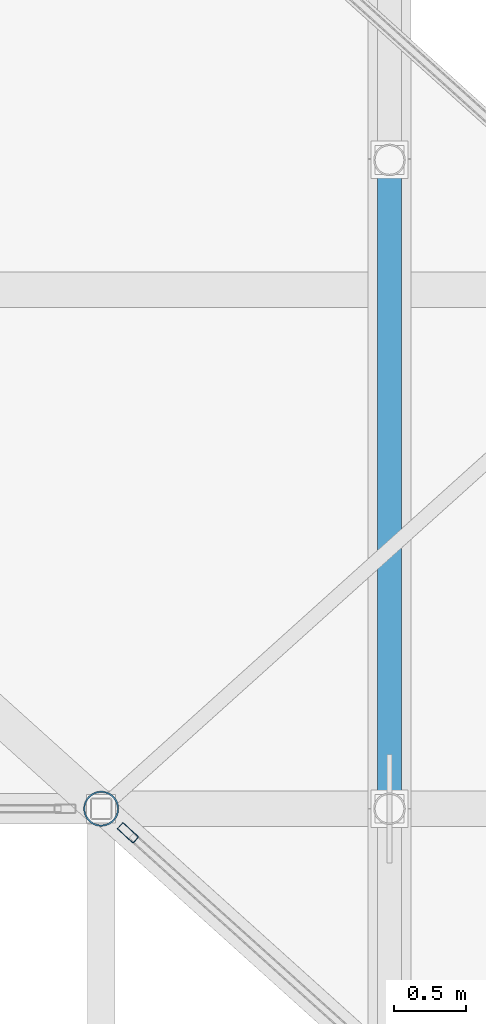
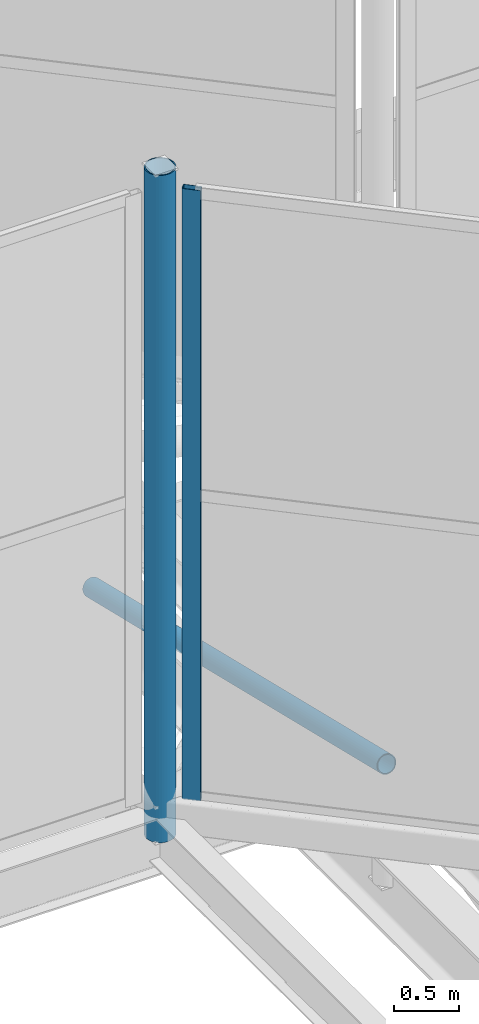
# One storey, part 78 of 239: 3 members, 1 element without a shape of its own.
"""IFC4 building model written with IfcOpenShell, lengths in metres."""

from ifc_helpers import new_model, si_unit, direction, frame, origin, origin_2d, place, context, subcontext, project, spatial, hollow_rectangle, hollow_circle, extrude, material, layer, layer_set, material_profile, profile_set, type_object, element, aggregate, save


model = new_model("IFC4")

# Units and contexts
model_context = context("Model", 3, precision=1e-05, world=origin(), true_north=direction((0.0, 1.0)))
body_context = subcontext(model_context, "Body", "Model", "MODEL_VIEW")
ifc_project = project(units=[si_unit("LENGTHUNIT", "METRE"), si_unit("AREAUNIT", "SQUARE_METRE"), si_unit("VOLUMEUNIT", "CUBIC_METRE"), si_unit("PLANEANGLEUNIT", "RADIAN"), si_unit("MASSUNIT", "GRAM", prefix="KILO")], contexts=[model_context])

# Site, building, storey
site_placement = place(None, origin())
site = spatial("IfcSite", under=ifc_project, at=site_placement, CompositionType="ELEMENT")
building_placement = place(site_placement, origin())
building = spatial("IfcBuilding", under=site, at=building_placement, Name="Dunvalen Ferry Terminal", CompositionType="ELEMENT")
storey_placement = place(building_placement, frame((0.0, 0.0, 9.840087890625)))
storey = spatial("IfcBuildingStorey", under=building, at=storey_placement, Name="L02", CompositionType="ELEMENT", Elevation=9.840087890625)

# Curtain wall, member
ifc_material_1 = material(Name="Anodised marine aluminium and solar-control glazing", Category="aluminium")
ifc_layer = layer(ifc_material_1, 0.179931640625, Name="Anodised marine aluminium and solar-control glazing")
ifc_layer_set = layer_set([ifc_layer], Name="Anodised marine aluminium and solar-control glazing")
curtain_wall_type = type_object("IfcCurtainWallType", Name="ENV-CW-SYS-06", PredefinedType="NOTDEFINED", material=ifc_layer_set)
curtain_wall_placement = place(storey_placement, origin())
curtain_wall = element("IfcCurtainWall", 1, at=curtain_wall_placement, inside=storey, type_object=curtain_wall_type, Name="L02 Curtain Wall CW-HEX-14-SK-4", PredefinedType="NOTDEFINED")
ifc_material_2 = material(Name="Anodised marine aluminium EN AW-6063 T6", Category="aluminium")
ifc_material_profile_1 = material_profile(ifc_material_2, hollow_rectangle(XDim=0.06005859375, YDim=0.14990234375, WallThickness=0.00341796875, InnerFilletRadius=0.00341796875, OuterFilletRadius=0.007080078125, at=origin_2d()), Name="Anodised marine aluminium EN AW-6063 T6")
ifc_profile_set_1 = profile_set([ifc_material_profile_1], Name="Anodised marine aluminium EN AW-6063 T6")
member_type_1 = type_object("IfcMemberType", Name="ENV-CW-MUL-3", PredefinedType="MULLION", material=ifc_profile_set_1)
member_1_placement = place(storey_placement, frame((34.185791015625, 68.232666015625, 1.139892578125), z_axis=(0.0, 0.0, 1.0), x_axis=(-0.668953550894, -0.74330420875, 0.0)))
member_1 = element("IfcMember", 2, at=member_1_placement, type_object=member_type_1, Name="CW-06 mullion 2", PredefinedType="MULLION", context=body_context, shape_type="SweptSolid", body=[
    extrude(hollow_rectangle(XDim=0.06005859375, YDim=0.14990234375, WallThickness=0.00341796875, InnerFilletRadius=0.00341796875, OuterFilletRadius=0.007080078125, at=origin_2d()), origin(), (0.0, 0.0, 1.0), 5.699951171875),
])
aggregate(curtain_wall, [member_1])

# Members
ifc_material_3 = material(Name="Steel S355", Category="steel")
ifc_material_profile_2 = material_profile(ifc_material_3, hollow_circle(Radius=0.084228515625, WallThickness=0.008056640625, at=origin_2d()), Name="Steel S355")
ifc_profile_set_2 = profile_set([ifc_material_profile_2], Name="Steel S355")
member_type_2 = type_object("IfcMemberType", Name="STR-MB-CHS168", PredefinedType="BRACE", material=ifc_profile_set_2)
member_2_placement = place(storey_placement, frame((36.0, 68.39990234375, 0.719970703125), z_axis=(0.0, 0.972383470914, -0.233388914677), x_axis=(-1.0, 0.0, 0.0)))
element("IfcMember", 3, at=member_2_placement, inside=storey, type_object=member_type_2, Name="Departure Hall Arch Web Diagonal 03.5", PredefinedType="BRACE", context=body_context, shape_type="SweptSolid", body=[
    extrude(hollow_circle(Radius=0.084228515625, WallThickness=0.008056640625, at=origin_2d()), origin(), (0.0, 0.0, 1.0), 4.627685546875),
])
ifc_material_profile_3 = material_profile(ifc_material_3, hollow_circle(Radius=0.122314453125, WallThickness=0.010009765625, at=origin_2d()), Name="Steel S355")
ifc_profile_set_3 = profile_set([ifc_material_profile_3], Name="Steel S355")
member_type_3 = type_object("IfcMemberType", Name="STR-MB-CHS244", PredefinedType="STRUT", material=ifc_profile_set_3)
member_3_placement = place(storey_placement, frame((34.0, 68.39990234375, 0.77001953125), z_axis=(0.0, 0.0, 1.0), x_axis=(1.0, 0.0, 0.0)))
element("IfcMember", 4, at=member_3_placement, inside=storey, type_object=member_type_3, Name="HEX-14 Skylight Lantern Corner Strut 5", PredefinedType="STRUT", context=body_context, shape_type="SweptSolid", body=[
    extrude(hollow_circle(Radius=0.122314453125, WallThickness=0.010009765625, at=origin_2d()), origin(), (0.0, 0.0, 1.0), 6.22998046875),
])

save(model, "model.ifc")
